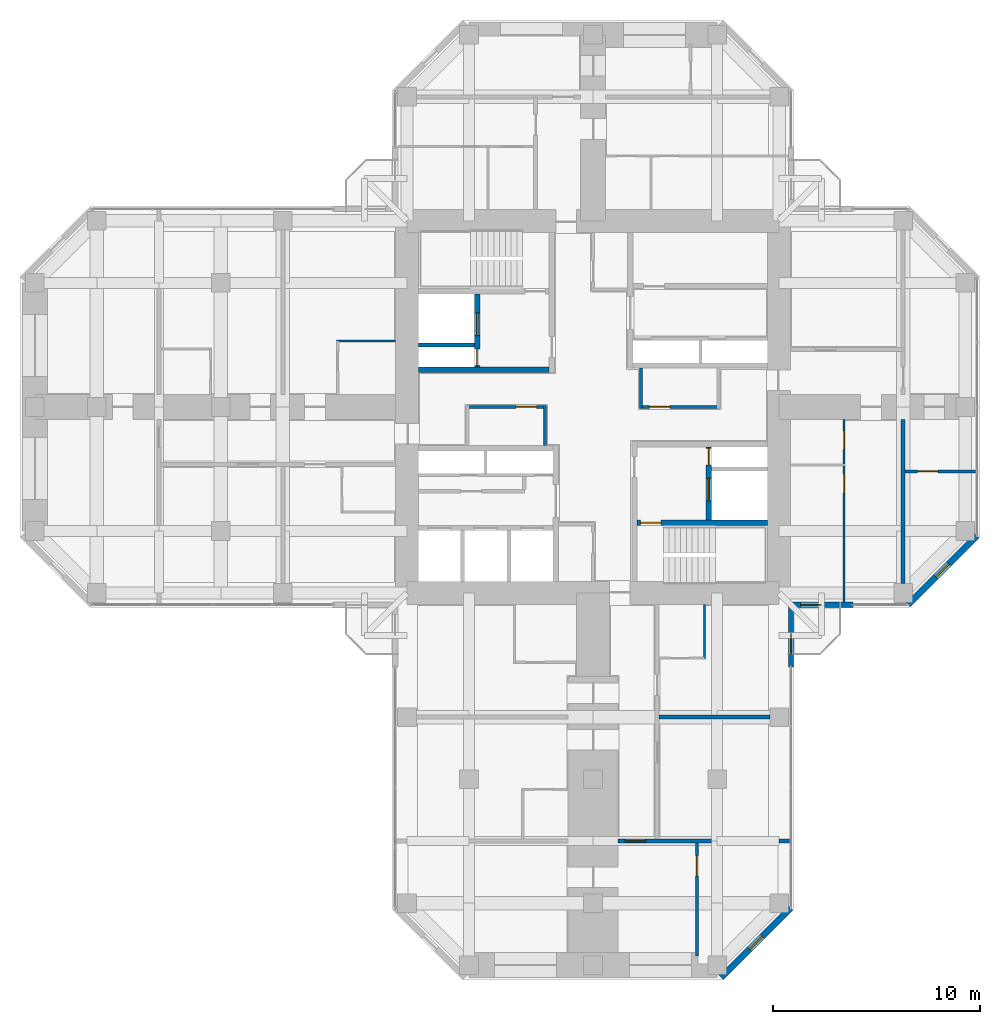
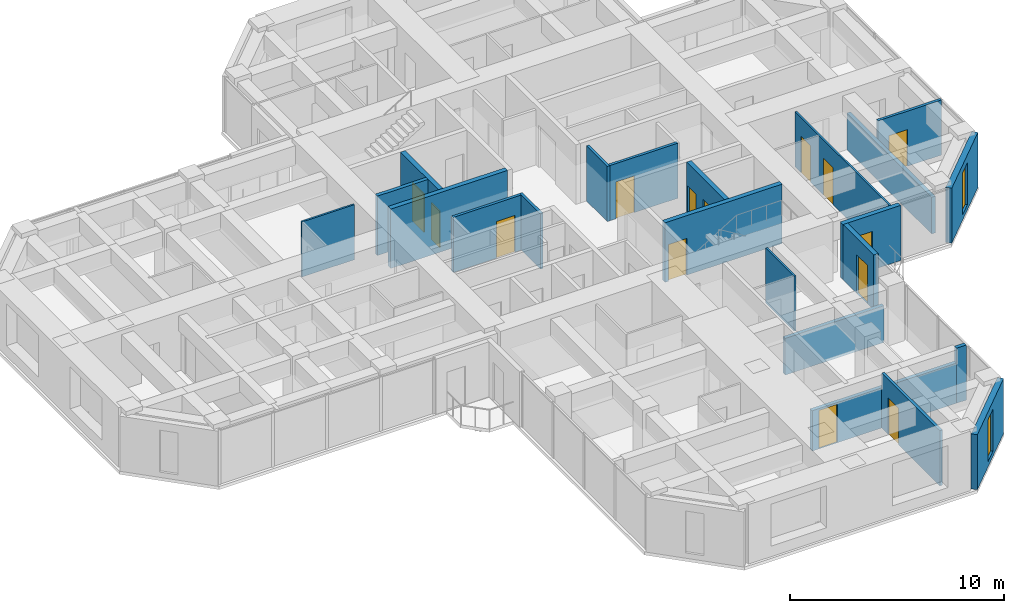
# One storey, part 10 of 14: 22 walls, 14 doors, 2 windows, 16 openings.
"""IFC4 building model written with IfcOpenShell, lengths in metres."""

from ifc_helpers import new_model, si_unit, direction, frame, frame_2d, origin, place, context, subcontext, project, spatial, rectangle, hollow_rectangle, extrude, material, layer, layer_set, constituent, constituent_set, type_object, element, fill, save


model = new_model("IFC4")

# Units and contexts
model_context = context("Model", 3, precision=1e-05, world=origin(), true_north=direction((0.0, 1.0)))
body_context = subcontext(model_context, "Body", "Model", "MODEL_VIEW")
ifc_project = project(units=[si_unit("LENGTHUNIT", "METRE"), si_unit("AREAUNIT", "SQUARE_METRE"), si_unit("VOLUMEUNIT", "CUBIC_METRE"), si_unit("PLANEANGLEUNIT", "RADIAN"), si_unit("MASSUNIT", "GRAM", prefix="KILO")], contexts=[model_context])

# Site, building, storey
site_placement = place(None, origin())
site = spatial("IfcSite", under=ifc_project, at=site_placement, CompositionType="ELEMENT")
building_placement = place(site_placement, origin())
building = spatial("IfcBuilding", under=site, at=building_placement, Name="Torre Cruceta", CompositionType="ELEMENT")
storey_placement = place(building_placement, frame((0.0, 0.0, 213.699951171875)))
storey = spatial("IfcBuildingStorey", under=building, at=storey_placement, Name="L54", CompositionType="ELEMENT", Elevation=213.699951171875)

# Wall, openings, doors
ifc_material_1 = material(Name="Water-resistant plasterboard on steel studs", Category="steel")
ifc_layer_1 = layer(ifc_material_1, 0.10009765625)
ifc_layer_set_1 = layer_set([ifc_layer_1], Name="Water-resistant plasterboard on steel studs")
wall_type_1 = type_object("IfcWallType", Name="BATHROOM WALL 100", PredefinedType="PARTITIONING", material=ifc_layer_set_1)
wall_1_placement = place(storey_placement, frame((12.14990234375, -9.445068359375, 0.0), z_axis=(0.0, 0.0, 1.0), x_axis=(0.0, 1.0, 0.0)))
wall_1 = element("IfcWall", 1, at=wall_1_placement, inside=storey, type_object=wall_type_1, Name="PT4 L54-E-U1RBS", PredefinedType="PARTITIONING", context=body_context, shape_type="SweptSolid", body=[
    extrude(rectangle(XDim=8.844970703125, YDim=0.10009765625, at=frame_2d((4.42236328125, 0.0))), origin(), (0.0, 0.0, 1.0), 3.150146484375),
])
opening_1_placement = place(wall_1_placement, frame((5.294921875, 0.0, 0.0)))
opening_1 = element("IfcOpeningElement", 2, at=opening_1_placement, cuts=wall_1, Name="Opening D7", PredefinedType="OPENING", context=body_context, shape_type="SweptSolid", body=[
    extrude(rectangle(XDim=0.89990234375, YDim=2.10009765625, at=frame_2d((0.449951171875, 1.050048828125))), frame((0.0, 0.06005859375, 0.0), z_axis=(0.0, -1.0, 0.0), x_axis=(1.0, 0.0, 0.0)), (0.0, 0.0, 1.0), 0.1201171875),
])
opening_2_placement = place(wall_1_placement, frame((7.39501953125, 0.0, 0.0)))
opening_2 = element("IfcOpeningElement", 3, at=opening_2_placement, cuts=wall_1, Name="Opening D7", PredefinedType="OPENING", context=body_context, shape_type="SweptSolid", body=[
    extrude(rectangle(XDim=0.89990234375, YDim=2.10009765625, at=frame_2d((0.449951171875, 1.050048828125))), frame((0.0, 0.06005859375, 0.0), z_axis=(0.0, -1.0, 0.0), x_axis=(1.0, 0.0, 0.0)), (0.0, 0.0, 1.0), 0.1201171875),
])
ifc_material_2 = material(Name="Timber door", Category="wood")
door_type_1 = type_object("IfcDoorType", Name="BATHROOM DOOR 900X2100", OperationType="SINGLE_SWING_LEFT", PredefinedType="DOOR", material=ifc_material_2)
door_1_placement = place(opening_1_placement, origin())
door_1 = element("IfcDoor", 4, at=door_1_placement, inside=storey, type_object=door_type_1, Name="D7 L54-E-U1RBS-D1", OperationType="SINGLE_SWING_RIGHT", OverallHeight=2.10009765625, OverallWidth=0.89990234375, PredefinedType="DOOR", context=body_context, shape_type="SweptSolid", body=[
    extrude(rectangle(XDim=0.89990234375, YDim=2.10009765625, at=frame_2d((0.449951171875, 1.050048828125))), frame((0.0, 0.02490234375, 0.0), z_axis=(0.0, -1.0, 0.0), x_axis=(1.0, 0.0, 0.0)), (0.0, 0.0, 1.0), 0.050048828125),
])
fill(opening_1, door_1)
door_2_placement = place(opening_2_placement, origin())
door_2 = element("IfcDoor", 5, at=door_2_placement, inside=storey, type_object=door_type_1, Name="D7 L54-E-U1RBS-D2", OperationType="SINGLE_SWING_RIGHT", OverallHeight=2.10009765625, OverallWidth=0.89990234375, PredefinedType="DOOR", context=body_context, shape_type="SweptSolid", body=[
    extrude(rectangle(XDim=0.89990234375, YDim=2.10009765625, at=frame_2d((0.449951171875, 1.050048828125))), frame((0.0, 0.02490234375, 0.0), z_axis=(0.0, -1.0, 0.0), x_axis=(1.0, 0.0, 0.0)), (0.0, 0.0, 1.0), 0.050048828125),
])
fill(opening_2, door_2)

# Walls
wall_2_placement = place(storey_placement, frame((5.39990234375, -9.550048828125, 0.0), z_axis=(0.0, 0.0, 1.0), x_axis=(0.0, -1.0, 0.0)))
element("IfcWall", 6, at=wall_2_placement, inside=storey, type_object=wall_type_1, Name="PT4 L54-S-U1LBB", PredefinedType="PARTITIONING", context=body_context, shape_type="SweptSolid", body=[
    extrude(rectangle(XDim=2.64990234375, YDim=0.10009765625, at=frame_2d((1.324951171875, 0.0))), origin(), (0.0, 0.0, 1.0), 3.150146484375),
])
wall_3_placement = place(storey_placement, frame((-9.550048828125, 3.199951171875, 0.0), z_axis=(0.0, 0.0, 1.0), x_axis=(-1.0, 0.0, 0.0)))
element("IfcWall", 7, at=wall_3_placement, inside=storey, type_object=wall_type_1, Name="PT4 L54-W-U1RBB", PredefinedType="PARTITIONING", context=body_context, shape_type="SweptSolid", body=[
    extrude(rectangle(XDim=2.849853515625, YDim=0.10009765625, at=frame_2d((1.4248046875, 0.0))), origin(), (0.0, 0.0, 1.0), 3.150146484375),
])
ifc_material_3 = material(Name="Concrete G60 (fck 60 MPa)", Category="concrete")
ifc_layer_2 = layer(ifc_material_3, 0.25)
ifc_layer_set_2 = layer_set([ifc_layer_2], Name="Concrete G60 (fck 60 MPa)")
wall_type_2 = type_object("IfcWallType", Name="CORE INNER WALL 250 G60", PredefinedType="SHEAR", material=ifc_layer_set_2)
wall_4_placement = place(storey_placement, frame((-2.125, 1.800048828125, 0.0), z_axis=(0.0, 0.0, 1.0), x_axis=(-1.0, 0.0, 0.0)))
element("IfcWall", 8, at=wall_4_placement, inside=storey, type_object=wall_type_2, Name="CW4 L54 NW-CV", PredefinedType="SHEAR", context=body_context, shape_type="SweptSolid", body=[
    extrude(rectangle(XDim=6.324951171875, YDim=0.25, at=frame_2d((3.16259765625, 0.0))), origin(), (0.0, 0.0, 1.0), 3.400146484375),
])

# Wall, openings, doors
wall_5_placement = place(storey_placement, frame((-5.60009765625, 1.925048828125, 0.0), z_axis=(0.0, 0.0, 1.0), x_axis=(0.0, 1.0, 0.0)))
wall_5 = element("IfcWall", 9, at=wall_5_placement, inside=storey, type_object=wall_type_2, Name="CW4 L54 NW-FU", PredefinedType="SHEAR", context=body_context, shape_type="SweptSolid", body=[
    extrude(rectangle(XDim=3.550048828125, YDim=0.25, at=frame_2d((1.77490234375, 0.0))), origin(), (0.0, 0.0, 1.0), 3.400146484375),
])
opening_3_placement = place(wall_5_placement, frame((1.52490234375, 0.0, 0.0)))
opening_3 = element("IfcOpeningElement", 10, at=opening_3_placement, cuts=wall_5, Name="Opening LD1", PredefinedType="OPENING", context=body_context, shape_type="SweptSolid", body=[
    extrude(rectangle(XDim=1.10009765625, YDim=2.199951171875, at=frame_2d((0.550048828125, 1.10009765625))), frame((0.0, 0.135009765625, 0.0), z_axis=(0.0, -1.0, 0.0), x_axis=(1.0, 0.0, 0.0)), (0.0, 0.0, 1.0), 0.27001953125),
])
opening_4_placement = place(wall_5_placement, frame((0.074951171875, 0.0, 0.0)))
opening_4 = element("IfcOpeningElement", 11, at=opening_4_placement, cuts=wall_5, Name="Opening D5", PredefinedType="OPENING", context=body_context, shape_type="SweptSolid", body=[
    extrude(rectangle(XDim=0.800048828125, YDim=2.10009765625, at=frame_2d((0.39990234375, 1.050048828125))), frame((0.0, 0.135009765625, 0.0), z_axis=(0.0, -1.0, 0.0), x_axis=(1.0, 0.0, 0.0)), (0.0, 0.0, 1.0), 0.27001953125),
])
ifc_material_4 = material(Name="Stainless steel 1.4401", Category="steel")
door_type_2 = type_object("IfcDoorType", Name="LIFT LANDING DOOR 1100X2200", OperationType="DOUBLE_DOOR_SLIDING", PredefinedType="DOOR", material=ifc_material_4)
door_3_placement = place(opening_3_placement, origin())
door_3 = element("IfcDoor", 12, at=door_3_placement, inside=storey, type_object=door_type_2, Name="Lift landing door FL1", OperationType="DOUBLE_DOOR_SLIDING", OverallHeight=2.199951171875, OverallWidth=1.10009765625, PredefinedType="DOOR", context=body_context, shape_type="SweptSolid", body=[
    extrude(rectangle(XDim=1.10009765625, YDim=2.199951171875, at=frame_2d((0.550048828125, 1.10009765625))), frame((0.0, 0.02490234375, 0.0), z_axis=(0.0, -1.0, 0.0), x_axis=(1.0, 0.0, 0.0)), (0.0, 0.0, 1.0), 0.050048828125),
])
fill(opening_3, door_3)
ifc_material_5 = material(Name="Steel DX51D", Category="steel")
ifc_constituent_1 = constituent(ifc_material_5, Name="Leaf and frame")
ifc_material_6 = material(Name="Polyester powder coating", Category="paint")
ifc_constituent_2 = constituent(ifc_material_6, Name="Finish")
ifc_constituent_set_1 = constituent_set(constituents=[ifc_constituent_1, ifc_constituent_2], Name="Steel fire door")
door_type_3 = type_object("IfcDoorType", Name="RISER ACCESS DOOR 800X2100", OperationType="SINGLE_SWING_LEFT", PredefinedType="DOOR", material=ifc_constituent_set_1)
door_4_placement = place(opening_4_placement, origin())
door_4 = element("IfcDoor", 13, at=door_4_placement, inside=storey, type_object=door_type_3, Name="D5 L54 NW-RISER", OperationType="SINGLE_SWING_LEFT", OverallHeight=2.10009765625, OverallWidth=0.800048828125, PredefinedType="DOOR", context=body_context, shape_type="SweptSolid", body=[
    extrude(rectangle(XDim=0.800048828125, YDim=2.10009765625, at=frame_2d((0.39990234375, 1.050048828125))), frame((0.0, 0.02490234375, 0.0), z_axis=(0.0, -1.0, 0.0), x_axis=(1.0, 0.0, 0.0)), (0.0, 0.0, 1.0), 0.050048828125),
])
fill(opening_4, door_4)

# Wall, opening, door
wall_6_placement = place(storey_placement, frame((2.125, -5.60009765625, 0.0), z_axis=(0.0, 0.0, 1.0), x_axis=(1.0, 0.0, 0.0)))
wall_6 = element("IfcWall", 14, at=wall_6_placement, inside=storey, type_object=wall_type_2, Name="CW4 L54 SE-SV", PredefinedType="SHEAR", context=body_context, shape_type="SweptSolid", body=[
    extrude(rectangle(XDim=6.324951171875, YDim=0.25, at=frame_2d((3.16259765625, 0.0))), origin(), (0.0, 0.0, 1.0), 3.400146484375),
])
opening_5_placement = place(wall_6_placement, frame((0.175048828125, 0.0, 0.0)))
opening_5 = element("IfcOpeningElement", 15, at=opening_5_placement, cuts=wall_6, Name="Opening D3", PredefinedType="OPENING", context=body_context, shape_type="SweptSolid", body=[
    extrude(rectangle(XDim=1.0, YDim=2.10009765625, at=frame_2d((0.5, 1.050048828125))), frame((0.0, 0.135009765625, 0.0), z_axis=(0.0, -1.0, 0.0), x_axis=(1.0, 0.0, 0.0)), (0.0, 0.0, 1.0), 0.27001953125),
])
ifc_material_7 = material(Name="Steel DX51D", Category="steel")
ifc_constituent_3 = constituent(ifc_material_7, Name="Leaf and frame")
ifc_material_8 = material(Name="Polyester powder coating", Category="paint")
ifc_constituent_4 = constituent(ifc_material_8, Name="Finish")
ifc_constituent_set_2 = constituent_set(constituents=[ifc_constituent_3, ifc_constituent_4], Name="Steel fire door")
door_type_4 = type_object("IfcDoorType", Name="FIRE DOOR 1000X2100", OperationType="SINGLE_SWING_LEFT", PredefinedType="DOOR", material=ifc_constituent_set_2)
door_5_placement = place(opening_5_placement, frame((1.0, 0.0, 0.0), z_axis=(0.0, 0.0, 1.0), x_axis=(-1.0, 0.0, 0.0)))
door_5 = element("IfcDoor", 16, at=door_5_placement, inside=storey, type_object=door_type_4, Name="D3 L54 SE-STAIR", OperationType="SINGLE_SWING_RIGHT", OverallHeight=2.10009765625, OverallWidth=1.0, PredefinedType="DOOR", context=body_context, shape_type="SweptSolid", body=[
    extrude(rectangle(XDim=1.0, YDim=2.10009765625, at=frame_2d((0.5, 1.050048828125))), frame((0.0, 0.025146484375, 0.0), z_axis=(0.0, -1.0, 0.0), x_axis=(1.0, 0.0, 0.0)), (0.0, 0.0, 1.0), 0.050048828125),
])
fill(opening_5, door_5)

# Wall, openings, doors
wall_7_placement = place(storey_placement, frame((5.60009765625, -1.925048828125, 0.0), z_axis=(0.0, 0.0, 1.0), x_axis=(0.0, -1.0, 0.0)))
wall_7 = element("IfcWall", 17, at=wall_7_placement, inside=storey, type_object=wall_type_2, Name="CW4 L54 SE-FU", PredefinedType="SHEAR", context=body_context, shape_type="SweptSolid", body=[
    extrude(rectangle(XDim=3.550048828125, YDim=0.25, at=frame_2d((1.77490234375, 0.0))), origin(), (0.0, 0.0, 1.0), 3.400146484375),
])
opening_6_placement = place(wall_7_placement, frame((1.52490234375, 0.0, 0.0)))
opening_6 = element("IfcOpeningElement", 18, at=opening_6_placement, cuts=wall_7, Name="Opening LD1", PredefinedType="OPENING", context=body_context, shape_type="SweptSolid", body=[
    extrude(rectangle(XDim=1.10009765625, YDim=2.199951171875, at=frame_2d((0.550048828125, 1.10009765625))), frame((0.0, 0.135009765625, 0.0), z_axis=(0.0, -1.0, 0.0), x_axis=(1.0, 0.0, 0.0)), (0.0, 0.0, 1.0), 0.27001953125),
])
opening_7_placement = place(wall_7_placement, frame((0.074951171875, 0.0, 0.0)))
opening_7 = element("IfcOpeningElement", 19, at=opening_7_placement, cuts=wall_7, Name="Opening D5", PredefinedType="OPENING", context=body_context, shape_type="SweptSolid", body=[
    extrude(rectangle(XDim=0.800048828125, YDim=2.10009765625, at=frame_2d((0.39990234375, 1.050048828125))), frame((0.0, 0.135009765625, 0.0), z_axis=(0.0, -1.0, 0.0), x_axis=(1.0, 0.0, 0.0)), (0.0, 0.0, 1.0), 0.27001953125),
])
door_6_placement = place(opening_6_placement, origin())
door_6 = element("IfcDoor", 20, at=door_6_placement, inside=storey, type_object=door_type_2, Name="Lift landing door FL2", OperationType="DOUBLE_DOOR_SLIDING", OverallHeight=2.199951171875, OverallWidth=1.10009765625, PredefinedType="DOOR", context=body_context, shape_type="SweptSolid", body=[
    extrude(rectangle(XDim=1.10009765625, YDim=2.199951171875, at=frame_2d((0.550048828125, 1.10009765625))), frame((0.0, 0.02490234375, 0.0), z_axis=(0.0, -1.0, 0.0), x_axis=(1.0, 0.0, 0.0)), (0.0, 0.0, 1.0), 0.050048828125),
])
fill(opening_6, door_6)
door_7_placement = place(opening_7_placement, origin())
door_7 = element("IfcDoor", 21, at=door_7_placement, inside=storey, type_object=door_type_3, Name="D5 L54 SE-RISER", OperationType="SINGLE_SWING_LEFT", OverallHeight=2.10009765625, OverallWidth=0.800048828125, PredefinedType="DOOR", context=body_context, shape_type="SweptSolid", body=[
    extrude(rectangle(XDim=0.800048828125, YDim=2.10009765625, at=frame_2d((0.39990234375, 1.050048828125))), frame((0.0, 0.02490234375, 0.0), z_axis=(0.0, -1.0, 0.0), x_axis=(1.0, 0.0, 0.0)), (0.0, 0.0, 1.0), 0.050048828125),
])
fill(opening_7, door_7)

# Wall, opening, window
ifc_material_9 = material(Name="Concrete G30 (fck 30 MPa)", Category="concrete")
ifc_layer_3 = layer(ifc_material_9, 0.300048828125)
ifc_layer_set_3 = layer_set([ifc_layer_3], Name="Concrete G30 (fck 30 MPa)")
wall_type_3 = type_object("IfcWallType", Name="EXPOSED CONCRETE FACADE WALL 300", PredefinedType="SOLIDWALL", material=ifc_layer_set_3)
wall_8_placement = place(storey_placement, frame((15.236083984375, -9.570068359375, 0.0), z_axis=(0.0, 0.0, 1.0), x_axis=(0.707106781187, 0.707106781187, 0.0)))
wall_8 = element("IfcWall", 22, at=wall_8_placement, inside=storey, type_object=wall_type_3, Name="EW1 facade wall L54 E chamfer 01", PredefinedType="SOLIDWALL", context=body_context, shape_type="SweptSolid", body=[
    extrude(rectangle(XDim=4.715087890625, YDim=0.300048828125, at=frame_2d((2.357421875, 0.0))), origin(), (0.0, 0.0, 1.0), 3.150146484375),
])
opening_8_placement = place(wall_8_placement, frame((1.907470703125, 0.0, 0.300048828125)))
opening_8 = element("IfcOpeningElement", 23, at=opening_8_placement, cuts=wall_8, Name="Opening WN5", PredefinedType="OPENING", context=body_context, shape_type="SweptSolid", body=[
    extrude(rectangle(XDim=0.89990234375, YDim=2.39990234375, at=frame_2d((0.449951171875, 1.199951171875))), frame((0.0, 0.159912109375, 0.0), z_axis=(0.0, -1.0, 0.0), x_axis=(1.0, 0.0, 0.0)), (0.0, 0.0, 1.0), 0.320068359375),
])
ifc_material_10 = material(Name="Aluminium window frame", Category="aluminium")
ifc_constituent_5 = constituent(ifc_material_10, Name="Frame")
ifc_material_11 = material(Name="Laminated insulating glass unit, low-iron clear", Category="glass")
ifc_constituent_6 = constituent(ifc_material_11, Name="Glazing")
ifc_constituent_set_3 = constituent_set(constituents=[ifc_constituent_5, ifc_constituent_6], Name="Aluminium window")
window_type = type_object("IfcWindowType", Name="CHAMFER SLOT WINDOW 900X2400", PartitioningType="SINGLE_PANEL", PredefinedType="WINDOW", material=ifc_constituent_set_3)
window_1_placement = place(opening_8_placement, origin())
window_1 = element("IfcWindow", 24, at=window_1_placement, inside=storey, type_object=window_type, Name="WN5 L54 E 1", OverallHeight=2.39990234375, OverallWidth=0.89990234375, PartitioningType="SINGLE_PANEL", PredefinedType="WINDOW", context=body_context, shape_type="SweptSolid", body=[
    extrude(hollow_rectangle(XDim=0.89990234375, YDim=2.39990234375, WallThickness=0.06005859375, at=frame_2d((0.449951171875, 1.199951171875))), frame((0.0, 0.030029296875, 0.0), z_axis=(0.0, -1.0, 0.0), x_axis=(1.0, 0.0, 0.0)), (0.0, 0.0, 1.0), 0.06005859375),
    extrude(rectangle(XDim=0.77880859375, YDim=2.27880859375, at=frame_2d((0.449951171875, 1.199951171875))), frame((0.0, 0.030029296875, 0.0), z_axis=(0.0, -1.0, 0.0), x_axis=(1.0, 0.0, 0.0)), (0.0, 0.0, 1.0), 0.06005859375),
])
fill(opening_8, window_1)

wall_9_placement = place(storey_placement, frame((6.2060546875, -27.60009765625, 0.0), z_axis=(0.0, 0.0, 1.0), x_axis=(0.707106781187, 0.707106781187, 0.0)))
wall_9 = element("IfcWall", 25, at=wall_9_placement, inside=storey, type_object=wall_type_3, Name="EW1 facade wall L54 S chamfer 18", PredefinedType="SOLIDWALL", context=body_context, shape_type="SweptSolid", body=[
    extrude(rectangle(XDim=4.75732421875, YDim=0.300048828125, at=frame_2d((2.378662109375, 0.0))), origin(), (0.0, 0.0, 1.0), 3.150146484375),
])
opening_9_placement = place(wall_9_placement, frame((1.9287109375, 0.0, 0.300048828125)))
opening_9 = element("IfcOpeningElement", 26, at=opening_9_placement, cuts=wall_9, Name="Opening WN5", PredefinedType="OPENING", context=body_context, shape_type="SweptSolid", body=[
    extrude(rectangle(XDim=0.89990234375, YDim=2.39990234375, at=frame_2d((0.449951171875, 1.199951171875))), frame((0.0, 0.159912109375, 0.0), z_axis=(0.0, -1.0, 0.0), x_axis=(1.0, 0.0, 0.0)), (0.0, 0.0, 1.0), 0.320068359375),
])
window_2_placement = place(opening_9_placement, origin())
window_2 = element("IfcWindow", 27, at=window_2_placement, inside=storey, type_object=window_type, Name="WN5 L54 S 1", OverallHeight=2.39990234375, OverallWidth=0.89990234375, PartitioningType="SINGLE_PANEL", PredefinedType="WINDOW", context=body_context, shape_type="SweptSolid", body=[
    extrude(hollow_rectangle(XDim=0.89990234375, YDim=2.39990234375, WallThickness=0.06005859375, at=frame_2d((0.449951171875, 1.199951171875))), frame((0.0, 0.030029296875, 0.0), z_axis=(0.0, -1.0, 0.0), x_axis=(1.0, 0.0, 0.0)), (0.0, 0.0, 1.0), 0.06005859375),
    extrude(rectangle(XDim=0.77880859375, YDim=2.27880859375, at=frame_2d((0.449951171875, 1.199951171875))), frame((0.0, 0.030029296875, 0.0), z_axis=(0.0, -1.0, 0.0), x_axis=(1.0, 0.0, 0.0)), (0.0, 0.0, 1.0), 0.06005859375),
])
fill(opening_9, window_2)

# Wall
ifc_material_12 = material(Name="Concrete G35 (fck 35 MPa)", Category="concrete")
ifc_layer_4 = layer(ifc_material_12, 0.199951171875)
ifc_layer_set_4 = layer_set([ifc_layer_4], Name="Concrete G35 (fck 35 MPa)")
wall_type_4 = type_object("IfcWallType", Name="LIFT SHAFT WALL 200", PredefinedType="PARTITIONING", material=ifc_layer_set_4)
wall_10_placement = place(storey_placement, frame((-5.72509765625, 3.0, 0.0), z_axis=(0.0, 0.0, 1.0), x_axis=(-1.0, 0.0, 0.0)))
element("IfcWall", 28, at=wall_10_placement, inside=storey, type_object=wall_type_4, Name="SW1 L54 NW-FR", PredefinedType="PARTITIONING", context=body_context, shape_type="SweptSolid", body=[
    extrude(rectangle(XDim=2.724853515625, YDim=0.199951171875, at=frame_2d((1.3623046875, 0.0))), origin(), (0.0, 0.0, 1.0), 3.400146484375),
])

# Wall, opening, door
ifc_material_13 = material(Name="Plasterboard on steel studs", Category="steel")
ifc_layer_5 = layer(ifc_material_13, 0.14990234375)
ifc_layer_set_5 = layer_set([ifc_layer_5], Name="Plasterboard on steel studs")
wall_type_5 = type_object("IfcWallType", Name="PARTITION 150", PredefinedType="PARTITIONING", material=ifc_layer_set_5)
wall_11_placement = place(storey_placement, frame((2.324951171875, 0.0, 0.0), z_axis=(0.0, 0.0, 1.0), x_axis=(1.0, 0.0, 0.0)))
wall_11 = element("IfcWall", 29, at=wall_11_placement, inside=storey, type_object=wall_type_5, Name="PT1 L54-CORE-LEGE-N-W1", PredefinedType="PARTITIONING", context=body_context, shape_type="SweptSolid", body=[
    extrude(rectangle(XDim=3.75, YDim=0.14990234375, at=frame_2d((1.875, 0.0))), origin(), (0.0, 0.0, 1.0), 3.150146484375),
])
opening_10_placement = place(wall_11_placement, frame((0.39990234375, 0.0, 0.0)))
opening_10 = element("IfcOpeningElement", 30, at=opening_10_placement, cuts=wall_11, Name="Opening D3", PredefinedType="OPENING", context=body_context, shape_type="SweptSolid", body=[
    extrude(rectangle(XDim=1.0, YDim=2.10009765625, at=frame_2d((0.5, 1.050048828125))), frame((0.0, 0.0849609375, 0.0), z_axis=(0.0, -1.0, 0.0), x_axis=(1.0, 0.0, 0.0)), (0.0, 0.0, 1.0), 0.169921875),
])
door_8_placement = place(opening_10_placement, origin())
door_8 = element("IfcDoor", 31, at=door_8_placement, inside=storey, type_object=door_type_4, Name="D3 L54-CORE-LEGE-N-W1-D1", OperationType="SINGLE_SWING_LEFT", OverallHeight=2.10009765625, OverallWidth=1.0, PredefinedType="DOOR", context=body_context, shape_type="SweptSolid", body=[
    extrude(rectangle(XDim=1.0, YDim=2.10009765625, at=frame_2d((0.5, 1.050048828125))), frame((0.0, 0.02490234375, 0.0), z_axis=(0.0, -1.0, 0.0), x_axis=(1.0, 0.0, 0.0)), (0.0, 0.0, 1.0), 0.050048828125),
])
fill(opening_10, door_8)

# Wall
wall_12_placement = place(storey_placement, frame((2.324951171875, 1.875, 0.0), z_axis=(0.0, 0.0, 1.0), x_axis=(0.0, -1.0, 0.0)))
element("IfcWall", 32, at=wall_12_placement, inside=storey, type_object=wall_type_5, Name="PT1 L54-CORE-LEGE-N-W2", PredefinedType="PARTITIONING", context=body_context, shape_type="SweptSolid", body=[
    extrude(rectangle(XDim=1.949951171875, YDim=0.14990234375, at=frame_2d((0.97509765625, 0.0))), origin(), (0.0, 0.0, 1.0), 3.150146484375),
])

# Wall, opening, door
wall_13_placement = place(storey_placement, frame((-2.324951171875, 0.0, 0.0), z_axis=(0.0, 0.0, 1.0), x_axis=(-1.0, 0.0, 0.0)))
wall_13 = element("IfcWall", 33, at=wall_13_placement, inside=storey, type_object=wall_type_5, Name="PT1 L54-CORE-LEGW-S-W1", PredefinedType="PARTITIONING", context=body_context, shape_type="SweptSolid", body=[
    extrude(rectangle(XDim=3.75, YDim=0.14990234375, at=frame_2d((1.875, 0.0))), origin(), (0.0, 0.0, 1.0), 3.150146484375),
])
opening_11_placement = place(wall_13_placement, frame((0.39990234375, 0.0, 0.0)))
opening_11 = element("IfcOpeningElement", 34, at=opening_11_placement, cuts=wall_13, Name="Opening D3", PredefinedType="OPENING", context=body_context, shape_type="SweptSolid", body=[
    extrude(rectangle(XDim=1.0, YDim=2.10009765625, at=frame_2d((0.5, 1.050048828125))), frame((0.0, 0.0849609375, 0.0), z_axis=(0.0, -1.0, 0.0), x_axis=(1.0, 0.0, 0.0)), (0.0, 0.0, 1.0), 0.169921875),
])
door_9_placement = place(opening_11_placement, origin())
door_9 = element("IfcDoor", 35, at=door_9_placement, inside=storey, type_object=door_type_4, Name="D3 L54-CORE-LEGW-S-W1-D1", OperationType="SINGLE_SWING_LEFT", OverallHeight=2.10009765625, OverallWidth=1.0, PredefinedType="DOOR", context=body_context, shape_type="SweptSolid", body=[
    extrude(rectangle(XDim=1.0, YDim=2.10009765625, at=frame_2d((0.5, 1.050048828125))), frame((0.0, 0.02490234375, 0.0), z_axis=(0.0, -1.0, 0.0), x_axis=(1.0, 0.0, 0.0)), (0.0, 0.0, 1.0), 0.050048828125),
])
fill(opening_11, door_9)

# Wall
wall_14_placement = place(storey_placement, frame((-2.324951171875, -1.875, 0.0), z_axis=(0.0, 0.0, 1.0), x_axis=(0.0, 1.0, 0.0)))
element("IfcWall", 36, at=wall_14_placement, inside=storey, type_object=wall_type_5, Name="PT1 L54-CORE-LEGW-S-W2", PredefinedType="PARTITIONING", context=body_context, shape_type="SweptSolid", body=[
    extrude(rectangle(XDim=1.949951171875, YDim=0.14990234375, at=frame_2d((0.97509765625, 0.0))), origin(), (0.0, 0.0, 1.0), 3.150146484375),
])

# Wall, opening, door
wall_15_placement = place(storey_placement, frame((15.10009765625, -3.117919921875, 0.0), z_axis=(0.0, 0.0, 1.0), x_axis=(1.0, 0.0, 0.0)))
wall_15 = element("IfcWall", 37, at=wall_15_placement, inside=storey, type_object=wall_type_5, Name="PT1 L54-E-END2X", PredefinedType="PARTITIONING", context=body_context, shape_type="SweptSolid", body=[
    extrude(rectangle(XDim=3.429931640625, YDim=0.14990234375, at=frame_2d((1.71484375, 0.0))), origin(), (0.0, 0.0, 1.0), 3.150146484375),
])
opening_12_placement = place(wall_15_placement, frame((0.60009765625, 0.0, 0.0)))
opening_12 = element("IfcOpeningElement", 38, at=opening_12_placement, cuts=wall_15, Name="Opening D3", PredefinedType="OPENING", context=body_context, shape_type="SweptSolid", body=[
    extrude(rectangle(XDim=1.0, YDim=2.10009765625, at=frame_2d((0.5, 1.050048828125))), frame((0.0, 0.0849609375, 0.0), z_axis=(0.0, -1.0, 0.0), x_axis=(1.0, 0.0, 0.0)), (0.0, 0.0, 1.0), 0.169921875),
])
door_10_placement = place(opening_12_placement, origin())
door_10 = element("IfcDoor", 39, at=door_10_placement, inside=storey, type_object=door_type_4, Name="D3 L54-E-END2X-D1", OperationType="SINGLE_SWING_LEFT", OverallHeight=2.10009765625, OverallWidth=1.0, PredefinedType="DOOR", context=body_context, shape_type="SweptSolid", body=[
    extrude(rectangle(XDim=1.0, YDim=2.10009765625, at=frame_2d((0.5, 1.050048828125))), frame((0.0, 0.02490234375, 0.0), z_axis=(0.0, -1.0, 0.0), x_axis=(1.0, 0.0, 0.0)), (0.0, 0.0, 1.0), 0.050048828125),
])
fill(opening_12, door_10)

wall_16_placement = place(storey_placement, frame((5.02490234375, -21.10009765625, 0.0), z_axis=(0.0, 0.0, 1.0), x_axis=(0.0, -1.0, 0.0)))
wall_16 = element("IfcWall", 40, at=wall_16_placement, inside=storey, type_object=wall_type_5, Name="PT1 L54-S-ENDX", PredefinedType="PARTITIONING", context=body_context, shape_type="SweptSolid", body=[
    extrude(rectangle(XDim=5.449951171875, YDim=0.14990234375, at=frame_2d((2.72509765625, 0.0))), origin(), (0.0, 0.0, 1.0), 3.150146484375),
])
opening_13_placement = place(wall_16_placement, frame((0.60009765625, 0.0, 0.0)))
opening_13 = element("IfcOpeningElement", 41, at=opening_13_placement, cuts=wall_16, Name="Opening D3", PredefinedType="OPENING", context=body_context, shape_type="SweptSolid", body=[
    extrude(rectangle(XDim=1.0, YDim=2.10009765625, at=frame_2d((0.5, 1.050048828125))), frame((0.0, 0.0849609375, 0.0), z_axis=(0.0, -1.0, 0.0), x_axis=(1.0, 0.0, 0.0)), (0.0, 0.0, 1.0), 0.169921875),
])
door_11_placement = place(opening_13_placement, origin())
door_11 = element("IfcDoor", 42, at=door_11_placement, inside=storey, type_object=door_type_4, Name="D3 L54-S-ENDX-D1", OperationType="SINGLE_SWING_LEFT", OverallHeight=2.10009765625, OverallWidth=1.0, PredefinedType="DOOR", context=body_context, shape_type="SweptSolid", body=[
    extrude(rectangle(XDim=1.0, YDim=2.10009765625, at=frame_2d((0.5, 1.050048828125))), frame((0.0, 0.02490234375, 0.0), z_axis=(0.0, -1.0, 0.0), x_axis=(1.0, 0.0, 0.0)), (0.0, 0.0, 1.0), 0.050048828125),
])
fill(opening_13, door_11)

# Walls
ifc_material_14 = material(Name="Concrete G25 (fck 25 MPa)", Category="concrete")
ifc_layer_6 = layer(ifc_material_14, 0.199951171875)
ifc_layer_set_6 = layer_set([ifc_layer_6], Name="Concrete G25 (fck 25 MPa)")
wall_type_6 = type_object("IfcWallType", Name="UNIT SEPARATING WALL 200", PredefinedType="SOLIDWALL", material=ifc_layer_set_6)
wall_17_placement = place(storey_placement, frame((15.0, -8.550048828125, 0.0), z_axis=(0.0, 0.0, 1.0), x_axis=(0.0, 1.0, 0.0)))
element("IfcWall", 43, at=wall_17_placement, inside=storey, type_object=wall_type_6, Name="PT2 L54-E-ENDa", PredefinedType="SOLIDWALL", context=body_context, shape_type="SweptSolid", body=[
    extrude(rectangle(XDim=7.949951171875, YDim=0.199951171875, at=frame_2d((3.97509765625, 0.0))), origin(), (0.0, 0.0, 1.0), 2.10009765625),
])
wall_18_placement = place(storey_placement, frame((3.199951171875, -15.0, 0.0), z_axis=(0.0, 0.0, 1.0), x_axis=(1.0, 0.0, 0.0)))
element("IfcWall", 44, at=wall_18_placement, inside=storey, type_object=wall_type_6, Name="PT2 L54-S-P1L", PredefinedType="SOLIDWALL", context=body_context, shape_type="SweptSolid", body=[
    extrude(rectangle(XDim=5.35009765625, YDim=0.199951171875, at=frame_2d((2.675048828125, 0.0))), origin(), (0.0, 0.0, 1.0), 2.10009765625),
])

# Wall, opening, door
wall_19_placement = place(storey_placement, frame((1.199951171875, -21.0, 0.0), z_axis=(0.0, 0.0, 1.0), x_axis=(1.0, 0.0, 0.0)))
wall_19 = element("IfcWall", 45, at=wall_19_placement, inside=storey, type_object=wall_type_6, Name="PT2 L54-S-ENDb", PredefinedType="SOLIDWALL", context=body_context, shape_type="SweptSolid", body=[
    extrude(rectangle(XDim=7.800048828125, YDim=0.199951171875, at=frame_2d((3.89990234375, 0.0))), origin(), (0.0, 0.0, 1.0), 2.300048828125),
])
opening_14_placement = place(wall_19_placement, frame((0.35009765625, 0.0, 0.0)))
opening_14 = element("IfcOpeningElement", 46, at=opening_14_placement, cuts=wall_19, Name="Opening D14", PredefinedType="OPENING", context=body_context, shape_type="SweptSolid", body=[
    extrude(rectangle(XDim=1.0, YDim=2.199951171875, at=frame_2d((0.5, 1.10009765625))), frame((0.0, 0.10986328125, 0.0), z_axis=(0.0, -1.0, 0.0), x_axis=(1.0, 0.0, 0.0)), (0.0, 0.0, 1.0), 0.219970703125),
])
ifc_material_15 = material(Name="Steel DX51D", Category="steel")
ifc_constituent_7 = constituent(ifc_material_15, Name="Leaf and frame")
ifc_material_16 = material(Name="Polyester powder coating", Category="paint")
ifc_constituent_8 = constituent(ifc_material_16, Name="Finish")
ifc_material_17 = material(Name="Fire-resisting glass", Category="glass")
ifc_constituent_9 = constituent(ifc_material_17, Name="Vision panel")
ifc_constituent_set_4 = constituent_set(constituents=[ifc_constituent_7, ifc_constituent_8, ifc_constituent_9], Name="Steel fire door with vision panel")
door_type_5 = type_object("IfcDoorType", Name="FIRE DOOR VISION PANEL 1000X2200", OperationType="SINGLE_SWING_RIGHT", PredefinedType="DOOR", material=ifc_constituent_set_4)
door_12_placement = place(opening_14_placement, frame((1.0, 0.0, 0.0), z_axis=(0.0, 0.0, 1.0), x_axis=(-1.0, 0.0, 0.0)))
door_12 = element("IfcDoor", 47, at=door_12_placement, inside=storey, type_object=door_type_5, Name="D14 L54-S-ENDb-D1", OperationType="SINGLE_SWING_RIGHT", OverallHeight=2.199951171875, OverallWidth=1.0, PredefinedType="DOOR", context=body_context, shape_type="SweptSolid", body=[
    extrude(rectangle(XDim=1.0, YDim=2.199951171875, at=frame_2d((0.5, 1.10009765625))), frame((0.0, 0.025146484375, 0.0), z_axis=(0.0, -1.0, 0.0), x_axis=(1.0, 0.0, 0.0)), (0.0, 0.0, 1.0), 0.050048828125),
])
fill(opening_14, door_12)

# Wall
wall_20_placement = place(storey_placement, frame((9.0, -21.0, 0.0), z_axis=(0.0, 0.0, 1.0), x_axis=(1.0, 0.0, 0.0)))
element("IfcWall", 48, at=wall_20_placement, inside=storey, type_object=wall_type_6, Name="PT2 L54-S-ENDb 2", PredefinedType="SOLIDWALL", context=body_context, shape_type="SweptSolid", body=[
    extrude(rectangle(XDim=0.530029296875, YDim=0.199951171875, at=frame_2d((0.26513671875, 0.0))), origin(), (0.0, 0.0, 1.0), 3.150146484375),
])

# Wall, opening, door
ifc_material_18 = material(Name="Concrete G30 (fck 30 MPa)", Category="concrete")
ifc_layer_7 = layer(ifc_material_18, 0.25)
ifc_layer_set_7 = layer_set([ifc_layer_7], Name="Concrete G30 (fck 30 MPa)")
wall_type_7 = type_object("IfcWallType", Name="WINTER GARDEN WALL 250", PredefinedType="SOLIDWALL", material=ifc_layer_set_7)
wall_21_placement = place(storey_placement, frame((9.445068359375, -9.570068359375, 0.0), z_axis=(0.0, 0.0, 1.0), x_axis=(1.0, 0.0, 0.0)))
wall_21 = element("IfcWall", 49, at=wall_21_placement, inside=storey, type_object=wall_type_7, Name="EW2 winter garden wall L54 00", PredefinedType="SOLIDWALL", context=body_context, shape_type="SweptSolid", body=[
    extrude(rectangle(XDim=3.125, YDim=0.25, at=frame_2d((1.5625, 0.0))), origin(), (0.0, 0.0, 1.0), 3.150146484375),
])
opening_15_placement = place(wall_21_placement, frame((0.60009765625, 0.0, 0.0)))
opening_15 = element("IfcOpeningElement", 50, at=opening_15_placement, cuts=wall_21, Name="Opening D10", PredefinedType="OPENING", context=body_context, shape_type="SweptSolid", body=[
    extrude(rectangle(XDim=1.0, YDim=2.199951171875, at=frame_2d((0.5, 1.10009765625))), frame((0.0, 0.135009765625, 0.0), z_axis=(0.0, -1.0, 0.0), x_axis=(1.0, 0.0, 0.0)), (0.0, 0.0, 1.0), 0.27001953125),
])
ifc_material_19 = material(Name="Aluminium door frame", Category="aluminium")
ifc_constituent_10 = constituent(ifc_material_19, Name="Frame")
ifc_material_20 = material(Name="Laminated safety glass", Category="glass")
ifc_constituent_11 = constituent(ifc_material_20, Name="Glazing")
ifc_constituent_set_5 = constituent_set(constituents=[ifc_constituent_10, ifc_constituent_11], Name="Aluminium glazed door")
door_type_6 = type_object("IfcDoorType", Name="BALCONY DOOR 1000X2200", OperationType="SINGLE_SWING_RIGHT", PredefinedType="DOOR", material=ifc_constituent_set_5)
door_13_placement = place(opening_15_placement, origin())
door_13 = element("IfcDoor", 51, at=door_13_placement, inside=storey, type_object=door_type_6, Name="D10 balcony door L54 00", OperationType="SINGLE_SWING_LEFT", OverallHeight=2.199951171875, OverallWidth=1.0, PredefinedType="DOOR", context=body_context, shape_type="SweptSolid", body=[
    extrude(hollow_rectangle(XDim=1.0, YDim=2.199951171875, WallThickness=0.06005859375, at=frame_2d((0.5, 1.10009765625))), frame((0.0, 0.02490234375, 0.0), z_axis=(0.0, -1.0, 0.0), x_axis=(1.0, 0.0, 0.0)), (0.0, 0.0, 1.0), 0.050048828125),
    extrude(rectangle(XDim=0.87890625, YDim=2.078857421875, at=frame_2d((0.5, 1.10009765625))), frame((0.0, 0.02490234375, 0.0), z_axis=(0.0, -1.0, 0.0), x_axis=(1.0, 0.0, 0.0)), (0.0, 0.0, 1.0), 0.050048828125),
])
fill(opening_15, door_13)

wall_22_placement = place(storey_placement, frame((9.570068359375, -12.570068359375, 0.0), z_axis=(0.0, 0.0, 1.0), x_axis=(0.0, 1.0, 0.0)))
wall_22 = element("IfcWall", 52, at=wall_22_placement, inside=storey, type_object=wall_type_7, Name="EW2 winter garden wall L54 19", PredefinedType="SOLIDWALL", context=body_context, shape_type="SweptSolid", body=[
    extrude(rectangle(XDim=2.875, YDim=0.25, at=frame_2d((1.4375, 0.0))), origin(), (0.0, 0.0, 1.0), 3.150146484375),
])
opening_16_placement = place(wall_22_placement, frame((0.60009765625, 0.0, 0.0)))
opening_16 = element("IfcOpeningElement", 53, at=opening_16_placement, cuts=wall_22, Name="Opening D10", PredefinedType="OPENING", context=body_context, shape_type="SweptSolid", body=[
    extrude(rectangle(XDim=1.0, YDim=2.199951171875, at=frame_2d((0.5, 1.10009765625))), frame((0.0, 0.135009765625, 0.0), z_axis=(0.0, -1.0, 0.0), x_axis=(1.0, 0.0, 0.0)), (0.0, 0.0, 1.0), 0.27001953125),
])
door_14_placement = place(opening_16_placement, origin())
door_14 = element("IfcDoor", 54, at=door_14_placement, inside=storey, type_object=door_type_6, Name="D10 balcony door L54 19", OperationType="SINGLE_SWING_RIGHT", OverallHeight=2.199951171875, OverallWidth=1.0, PredefinedType="DOOR", context=body_context, shape_type="SweptSolid", body=[
    extrude(hollow_rectangle(XDim=1.0, YDim=2.199951171875, WallThickness=0.06005859375, at=frame_2d((0.5, 1.10009765625))), frame((0.0, 0.02490234375, 0.0), z_axis=(0.0, -1.0, 0.0), x_axis=(1.0, 0.0, 0.0)), (0.0, 0.0, 1.0), 0.050048828125),
    extrude(rectangle(XDim=0.87890625, YDim=2.078857421875, at=frame_2d((0.5, 1.10009765625))), frame((0.0, 0.02490234375, 0.0), z_axis=(0.0, -1.0, 0.0), x_axis=(1.0, 0.0, 0.0)), (0.0, 0.0, 1.0), 0.050048828125),
])
fill(opening_16, door_14)

save(model, "model.ifc")
